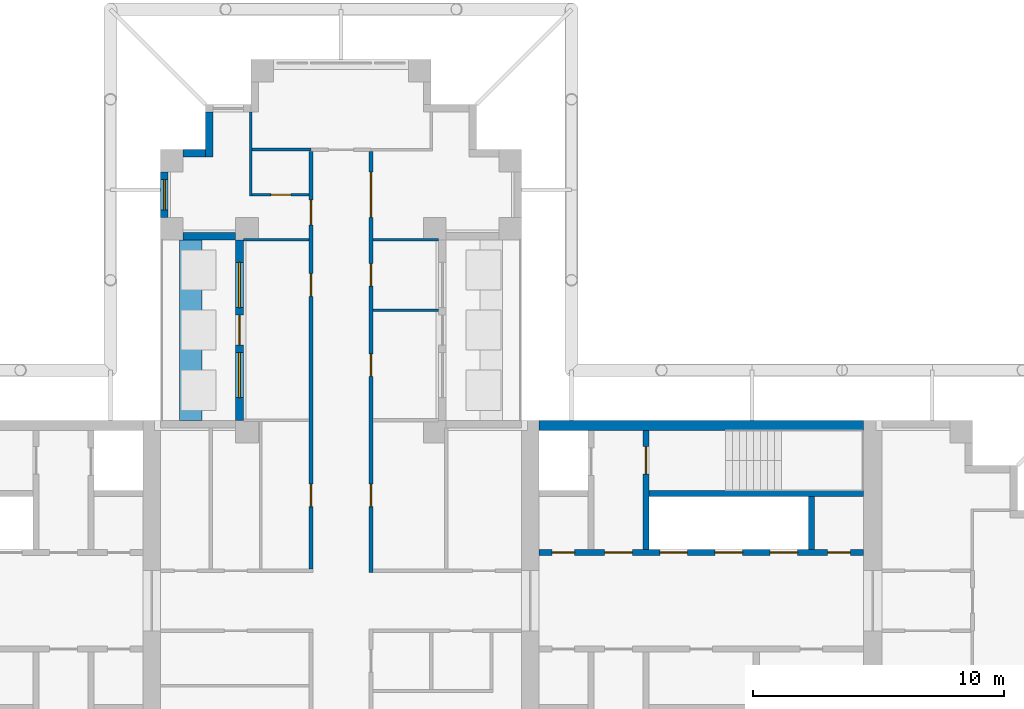
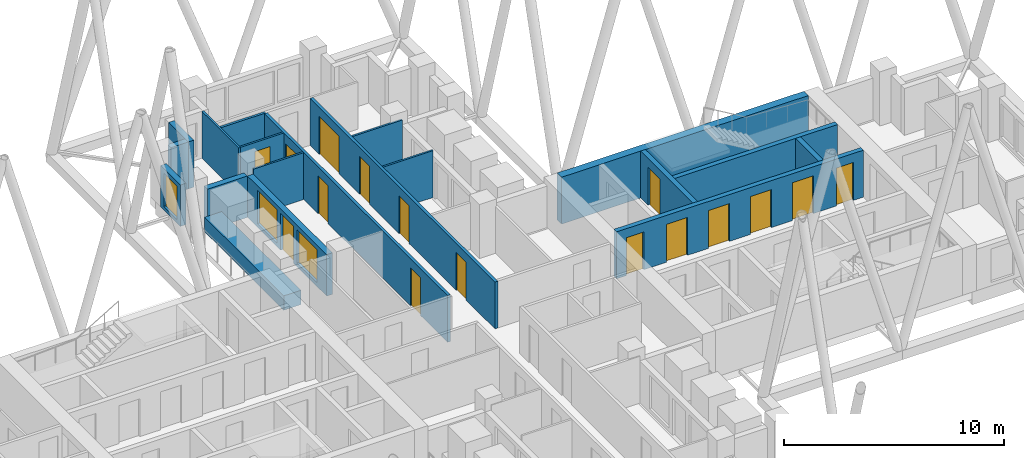
# One storey, part 7 of 11: 19 walls, 16 doors, 3 windows, 19 openings.
"""IFC4 building model written with IfcOpenShell, lengths in metres."""

from ifc_helpers import new_model, si_unit, direction, frame, frame_2d, origin, place, context, subcontext, project, spatial, rectangle, extrude, material, layer, layer_set, type_object, element, fill, save


model = new_model("IFC4")

# Units and contexts
model_context = context("Model", 3, precision=1e-05, world=origin(), true_north=direction((0.0, 1.0)))
body_context = subcontext(model_context, "Body", "Model", "MODEL_VIEW")
ifc_project = project(units=[si_unit("LENGTHUNIT", "METRE"), si_unit("AREAUNIT", "SQUARE_METRE"), si_unit("VOLUMEUNIT", "CUBIC_METRE"), si_unit("PLANEANGLEUNIT", "RADIAN"), si_unit("MASSUNIT", "GRAM", prefix="KILO")], contexts=[model_context])

# Site, building, storey
site_placement = place(None, origin())
site = spatial("IfcSite", under=ifc_project, at=site_placement, CompositionType="ELEMENT")
building_placement = place(site_placement, origin())
building = spatial("IfcBuilding", under=site, at=building_placement, Name="Fustian Cross Tower", CompositionType="ELEMENT")
storey_placement = place(building_placement, frame((0.0, 0.0, 198.89990234375)))
storey = spatial("IfcBuildingStorey", under=building, at=storey_placement, Name="L62", CompositionType="ELEMENT", Elevation=198.89990234375)

# Wall, openings, doors
ifc_material_1 = material(Name="Plasterboard on steel stud", Category="steel")
ifc_layer_1 = layer(ifc_material_1, 0.14990234375)
ifc_layer_set_1 = layer_set([ifc_layer_1], Name="Plasterboard on steel stud")
wall_type_1 = type_object("IfcWallType", Name="COMPARTMENT WALL 150 EI 60", PredefinedType="PARTITIONING", material=ifc_layer_set_1)
wall_1_placement = place(storey_placement, frame((-1.199951171875, 1.27490234375, 0.0), z_axis=(0.0, 0.0, 1.0), x_axis=(0.0, 1.0, 0.0)))
wall_1 = element("IfcWall", 1, at=wall_1_placement, inside=storey, type_object=wall_type_1, Name="Partition 28", PredefinedType="PARTITIONING", context=body_context, shape_type="SweptSolid", body=[
    extrude(rectangle(XDim=16.650146484375, YDim=0.14990234375, at=frame_2d((8.3251953125, 0.0))), origin(), (0.0, 0.0, 1.0), 2.60009765625),
])
opening_1_placement = place(wall_1_placement, frame((2.47509765625, 0.0, 0.0)))
opening_1 = element("IfcOpeningElement", 2, at=opening_1_placement, cuts=wall_1, Name="Opening D29003", PredefinedType="OPENING", context=body_context, shape_type="SweptSolid", body=[
    extrude(rectangle(XDim=0.89990234375, YDim=2.10009765625, at=frame_2d((0.449951171875, 1.050048828125))), frame((0.0, 0.0849609375, 0.0), z_axis=(0.0, -1.0, 0.0), x_axis=(1.0, 0.0, 0.0)), (0.0, 0.0, 1.0), 0.169921875),
])
opening_2_placement = place(wall_1_placement, frame((10.875, 0.0, 0.0)))
opening_2 = element("IfcOpeningElement", 3, at=opening_2_placement, cuts=wall_1, Name="Opening D29015", PredefinedType="OPENING", context=body_context, shape_type="SweptSolid", body=[
    extrude(rectangle(XDim=0.89990234375, YDim=2.10009765625, at=frame_2d((0.449951171875, 1.050048828125))), frame((0.0, 0.0849609375, 0.0), z_axis=(0.0, -1.0, 0.0), x_axis=(1.0, 0.0, 0.0)), (0.0, 0.0, 1.0), 0.169921875),
])
opening_3_placement = place(wall_1_placement, frame((13.72509765625, 0.0, 0.0)))
opening_3 = element("IfcOpeningElement", 4, at=opening_3_placement, cuts=wall_1, Name="Opening D29017", PredefinedType="OPENING", context=body_context, shape_type="SweptSolid", body=[
    extrude(rectangle(XDim=1.0, YDim=2.10009765625, at=frame_2d((0.5, 1.050048828125))), frame((0.0, 0.0849609375, 0.0), z_axis=(0.0, -1.0, 0.0), x_axis=(1.0, 0.0, 0.0)), (0.0, 0.0, 1.0), 0.169921875),
])
ifc_material_2 = material(Name="Timber fire door set", Category="wood")
door_type_1 = type_object("IfcDoorType", Name="FIRE SWING DOOR 1000 FD30S", OperationType="SINGLE_SWING_LEFT", PredefinedType="DOOR", material=ifc_material_2)
door_1_placement = place(opening_3_placement, origin())
door_1 = element("IfcDoor", 5, at=door_1_placement, inside=storey, type_object=door_type_1, Name="Door D29017", OperationType="SINGLE_SWING_RIGHT", OverallHeight=2.10009765625, OverallWidth=1.0, PredefinedType="DOOR", context=body_context, shape_type="SweptSolid", body=[
    extrude(rectangle(XDim=1.0, YDim=2.10009765625, at=frame_2d((0.5, 1.050048828125))), frame((0.0, 0.02490234375, 0.0), z_axis=(0.0, -1.0, 0.0), x_axis=(1.0, 0.0, 0.0)), (0.0, 0.0, 1.0), 0.050048828125),
])
fill(opening_3, door_1)
ifc_material_3 = material(Name="Timber fire door set", Category="wood")
door_type_2 = type_object("IfcDoorType", Name="FIRE SWING DOOR 900 FD30S", OperationType="SINGLE_SWING_LEFT", PredefinedType="DOOR", material=ifc_material_3)
door_2_placement = place(opening_1_placement, origin())
door_2 = element("IfcDoor", 6, at=door_2_placement, inside=storey, type_object=door_type_2, Name="Door D29003", OperationType="SINGLE_SWING_LEFT", OverallHeight=2.10009765625, OverallWidth=0.89990234375, PredefinedType="DOOR", context=body_context, shape_type="SweptSolid", body=[
    extrude(rectangle(XDim=0.89990234375, YDim=2.10009765625, at=frame_2d((0.449951171875, 1.050048828125))), frame((0.0, 0.02490234375, 0.0), z_axis=(0.0, -1.0, 0.0), x_axis=(1.0, 0.0, 0.0)), (0.0, 0.0, 1.0), 0.050048828125),
])
fill(opening_1, door_2)
door_3_placement = place(opening_2_placement, origin())
door_3 = element("IfcDoor", 7, at=door_3_placement, inside=storey, type_object=door_type_2, Name="Door D29015", OperationType="SINGLE_SWING_RIGHT", OverallHeight=2.10009765625, OverallWidth=0.89990234375, PredefinedType="DOOR", context=body_context, shape_type="SweptSolid", body=[
    extrude(rectangle(XDim=0.89990234375, YDim=2.10009765625, at=frame_2d((0.449951171875, 1.050048828125))), frame((0.0, 0.02490234375, 0.0), z_axis=(0.0, -1.0, 0.0), x_axis=(1.0, 0.0, 0.0)), (0.0, 0.0, 1.0), 0.050048828125),
])
fill(opening_2, door_3)

wall_2_placement = place(storey_placement, frame((1.199951171875, 1.125, 0.0), z_axis=(0.0, 0.0, 1.0), x_axis=(0.0, 1.0, 0.0)))
wall_2 = element("IfcWall", 8, at=wall_2_placement, inside=storey, type_object=wall_type_1, Name="Partition 37", PredefinedType="PARTITIONING", context=body_context, shape_type="SweptSolid", body=[
    extrude(rectangle(XDim=16.800048828125, YDim=0.14990234375, at=frame_2d((8.39990234375, 0.0))), origin(), (0.0, 0.0, 1.0), 2.60009765625),
])
opening_4_placement = place(wall_2_placement, frame((2.625, 0.0, 0.0)))
opening_4 = element("IfcOpeningElement", 9, at=opening_4_placement, cuts=wall_2, Name="Opening D29001", PredefinedType="OPENING", context=body_context, shape_type="SweptSolid", body=[
    extrude(rectangle(XDim=0.89990234375, YDim=2.10009765625, at=frame_2d((0.449951171875, 1.050048828125))), frame((0.0, 0.0849609375, 0.0), z_axis=(0.0, -1.0, 0.0), x_axis=(1.0, 0.0, 0.0)), (0.0, 0.0, 1.0), 0.169921875),
])
opening_5_placement = place(wall_2_placement, frame((11.425048828125, 0.0, 0.0)))
opening_5 = element("IfcOpeningElement", 10, at=opening_5_placement, cuts=wall_2, Name="Opening D29018", PredefinedType="OPENING", context=body_context, shape_type="SweptSolid", body=[
    extrude(rectangle(XDim=0.89990234375, YDim=2.10009765625, at=frame_2d((0.449951171875, 1.050048828125))), frame((0.0, 0.0849609375, 0.0), z_axis=(0.0, -1.0, 0.0), x_axis=(1.0, 0.0, 0.0)), (0.0, 0.0, 1.0), 0.169921875),
])
opening_6_placement = place(wall_2_placement, frame((7.824951171875, 0.0, 0.0)))
opening_6 = element("IfcOpeningElement", 11, at=opening_6_placement, cuts=wall_2, Name="Opening D29019", PredefinedType="OPENING", context=body_context, shape_type="SweptSolid", body=[
    extrude(rectangle(XDim=0.89990234375, YDim=2.10009765625, at=frame_2d((0.449951171875, 1.050048828125))), frame((0.0, 0.0849609375, 0.0), z_axis=(0.0, -1.0, 0.0), x_axis=(1.0, 0.0, 0.0)), (0.0, 0.0, 1.0), 0.169921875),
])
opening_7_placement = place(wall_2_placement, frame((14.175048828125, 0.0, 0.0)))
opening_7 = element("IfcOpeningElement", 12, at=opening_7_placement, cuts=wall_2, Name="Opening D29020", PredefinedType="OPENING", context=body_context, shape_type="SweptSolid", body=[
    extrude(rectangle(XDim=1.800048828125, YDim=2.10009765625, at=frame_2d((0.89990234375, 1.050048828125))), frame((0.0, 0.0849609375, 0.0), z_axis=(0.0, -1.0, 0.0), x_axis=(1.0, 0.0, 0.0)), (0.0, 0.0, 1.0), 0.169921875),
])
ifc_material_4 = material(Name="Timber fire door set", Category="wood")
door_type_3 = type_object("IfcDoorType", Name="FIRE DOUBLE DOOR 1800 FD30S", OperationType="DOUBLE_DOOR_DOUBLE_SWING", PredefinedType="DOOR", material=ifc_material_4)
door_4_placement = place(opening_7_placement, origin())
door_4 = element("IfcDoor", 13, at=door_4_placement, inside=storey, type_object=door_type_3, Name="Door D29020", OperationType="DOUBLE_DOOR_DOUBLE_SWING", OverallHeight=2.10009765625, OverallWidth=1.800048828125, PredefinedType="DOOR", context=body_context, shape_type="SweptSolid", body=[
    extrude(rectangle(XDim=1.800048828125, YDim=2.10009765625, at=frame_2d((0.89990234375, 1.050048828125))), frame((0.0, 0.02490234375, 0.0), z_axis=(0.0, -1.0, 0.0), x_axis=(1.0, 0.0, 0.0)), (0.0, 0.0, 1.0), 0.050048828125),
])
fill(opening_7, door_4)
door_5_placement = place(opening_4_placement, frame((0.89990234375, 0.0, 0.0), z_axis=(0.0, 0.0, 1.0), x_axis=(-1.0, 0.0, 0.0)))
door_5 = element("IfcDoor", 14, at=door_5_placement, inside=storey, type_object=door_type_2, Name="Door D29001", OperationType="SINGLE_SWING_RIGHT", OverallHeight=2.10009765625, OverallWidth=0.89990234375, PredefinedType="DOOR", context=body_context, shape_type="SweptSolid", body=[
    extrude(rectangle(XDim=0.89990234375, YDim=2.10009765625, at=frame_2d((0.449951171875, 1.050048828125))), frame((0.0, 0.02490234375, 0.0), z_axis=(0.0, -1.0, 0.0), x_axis=(1.0, 0.0, 0.0)), (0.0, 0.0, 1.0), 0.050048828125),
])
fill(opening_4, door_5)
door_6_placement = place(opening_5_placement, frame((0.89990234375, 0.0, 0.0), z_axis=(0.0, 0.0, 1.0), x_axis=(-1.0, 0.0, 0.0)))
door_6 = element("IfcDoor", 15, at=door_6_placement, inside=storey, type_object=door_type_2, Name="Door D29018", OperationType="SINGLE_SWING_RIGHT", OverallHeight=2.10009765625, OverallWidth=0.89990234375, PredefinedType="DOOR", context=body_context, shape_type="SweptSolid", body=[
    extrude(rectangle(XDim=0.89990234375, YDim=2.10009765625, at=frame_2d((0.449951171875, 1.050048828125))), frame((0.0, 0.02490234375, 0.0), z_axis=(0.0, -1.0, 0.0), x_axis=(1.0, 0.0, 0.0)), (0.0, 0.0, 1.0), 0.050048828125),
])
fill(opening_5, door_6)
door_7_placement = place(opening_6_placement, frame((0.89990234375, 0.0, 0.0), z_axis=(0.0, 0.0, 1.0), x_axis=(-1.0, 0.0, 0.0)))
door_7 = element("IfcDoor", 16, at=door_7_placement, inside=storey, type_object=door_type_2, Name="Door D29019", OperationType="SINGLE_SWING_RIGHT", OverallHeight=2.10009765625, OverallWidth=0.89990234375, PredefinedType="DOOR", context=body_context, shape_type="SweptSolid", body=[
    extrude(rectangle(XDim=0.89990234375, YDim=2.10009765625, at=frame_2d((0.449951171875, 1.050048828125))), frame((0.0, 0.02490234375, 0.0), z_axis=(0.0, -1.0, 0.0), x_axis=(1.0, 0.0, 0.0)), (0.0, 0.0, 1.0), 0.050048828125),
])
fill(opening_6, door_7)

# Wall
ifc_material_5 = material(Name="Concrete C50/60", Category="concrete")
ifc_layer_2 = layer(ifc_material_5, 0.39990234375)
ifc_layer_set_2 = layer_set([ifc_layer_2], Name="Concrete C50/60")
wall_type_2 = type_object("IfcWallType", Name="CORE FACADE WALL 400 C50/60", PredefinedType="SHEAR", material=ifc_layer_set_2)
wall_3_placement = place(storey_placement, frame((7.89990234375, 7.0, 0.0), z_axis=(0.0, 0.0, 1.0), x_axis=(1.0, 0.0, 0.0)))
element("IfcWall", 17, at=wall_3_placement, inside=storey, type_object=wall_type_2, Name="Core facade wall", PredefinedType="SHEAR", context=body_context, shape_type="SweptSolid", body=[
    extrude(rectangle(XDim=12.9501953125, YDim=0.39990234375, at=frame_2d((6.47509765625, 0.0))), origin(), (0.0, 0.0, 1.0), 2.60009765625),
])

# Wall, openings, doors
ifc_material_6 = material(Name="Concrete C50/60", Category="concrete")
ifc_layer_3 = layer(ifc_material_6, 0.25)
ifc_layer_set_3 = layer_set([ifc_layer_3], Name="Concrete C50/60")
wall_type_3 = type_object("IfcWallType", Name="CORE LOBBY WALL 250 C50/60", PredefinedType="SHEAR", material=ifc_layer_set_3)
wall_4_placement = place(storey_placement, frame((7.89990234375, 1.925048828125, 0.0), z_axis=(0.0, 0.0, 1.0), x_axis=(1.0, 0.0, 0.0)))
wall_4 = element("IfcWall", 18, at=wall_4_placement, inside=storey, type_object=wall_type_3, Name="Core lobby wall", PredefinedType="SHEAR", context=body_context, shape_type="SweptSolid", body=[
    extrude(rectangle(XDim=12.9501953125, YDim=0.25, at=frame_2d((6.47509765625, 0.0))), origin(), (0.0, 0.0, 1.0), 2.60009765625),
])
opening_8_placement = place(wall_4_placement, frame((4.824951171875, 0.0, 0.0)))
opening_8 = element("IfcOpeningElement", 19, at=opening_8_placement, cuts=wall_4, Name="Opening LD", PredefinedType="OPENING", context=body_context, shape_type="SweptSolid", body=[
    extrude(rectangle(XDim=1.10009765625, YDim=2.10009765625, at=frame_2d((0.550048828125, 1.050048828125))), frame((0.0, 0.135009765625, 0.0), z_axis=(0.0, -1.0, 0.0), x_axis=(1.0, 0.0, 0.0)), (0.0, 0.0, 1.0), 0.27001953125),
])
opening_9_placement = place(wall_4_placement, frame((7.02490234375, 0.0, 0.0)))
opening_9 = element("IfcOpeningElement", 20, at=opening_9_placement, cuts=wall_4, Name="Opening LD", PredefinedType="OPENING", context=body_context, shape_type="SweptSolid", body=[
    extrude(rectangle(XDim=1.10009765625, YDim=2.10009765625, at=frame_2d((0.550048828125, 1.050048828125))), frame((0.0, 0.135009765625, 0.0), z_axis=(0.0, -1.0, 0.0), x_axis=(1.0, 0.0, 0.0)), (0.0, 0.0, 1.0), 0.27001953125),
])
opening_10_placement = place(wall_4_placement, frame((9.22509765625, 0.0, 0.0)))
opening_10 = element("IfcOpeningElement", 21, at=opening_10_placement, cuts=wall_4, Name="Opening LD", PredefinedType="OPENING", context=body_context, shape_type="SweptSolid", body=[
    extrude(rectangle(XDim=1.10009765625, YDim=2.10009765625, at=frame_2d((0.550048828125, 1.050048828125))), frame((0.0, 0.135009765625, 0.0), z_axis=(0.0, -1.0, 0.0), x_axis=(1.0, 0.0, 0.0)), (0.0, 0.0, 1.0), 0.27001953125),
])
opening_11_placement = place(wall_4_placement, frame((0.52490234375, 0.0, 0.0)))
opening_11 = element("IfcOpeningElement", 22, at=opening_11_placement, cuts=wall_4, Name="Opening CD-27-08", PredefinedType="OPENING", context=body_context, shape_type="SweptSolid", body=[
    extrude(rectangle(XDim=0.89990234375, YDim=2.10009765625, at=frame_2d((0.449951171875, 1.050048828125))), frame((0.0, 0.135009765625, 0.0), z_axis=(0.0, -1.0, 0.0), x_axis=(1.0, 0.0, 0.0)), (0.0, 0.0, 1.0), 0.27001953125),
])
opening_12_placement = place(wall_4_placement, frame((2.625, 0.0, 0.0)))
opening_12 = element("IfcOpeningElement", 23, at=opening_12_placement, cuts=wall_4, Name="Opening CD-27-10", PredefinedType="OPENING", context=body_context, shape_type="SweptSolid", body=[
    extrude(rectangle(XDim=1.10009765625, YDim=2.10009765625, at=frame_2d((0.550048828125, 1.050048828125))), frame((0.0, 0.135009765625, 0.0), z_axis=(0.0, -1.0, 0.0), x_axis=(1.0, 0.0, 0.0)), (0.0, 0.0, 1.0), 0.27001953125),
])
opening_13_placement = place(wall_4_placement, frame((11.52490234375, 0.0, 0.0)))
opening_13 = element("IfcOpeningElement", 24, at=opening_13_placement, cuts=wall_4, Name="Opening CD-27-14", PredefinedType="OPENING", context=body_context, shape_type="SweptSolid", body=[
    extrude(rectangle(XDim=0.89990234375, YDim=2.10009765625, at=frame_2d((0.449951171875, 1.050048828125))), frame((0.0, 0.135009765625, 0.0), z_axis=(0.0, -1.0, 0.0), x_axis=(1.0, 0.0, 0.0)), (0.0, 0.0, 1.0), 0.27001953125),
])
ifc_material_7 = material(Name="Steel", Category="steel")
door_type_4 = type_object("IfcDoorType", Name="FIRE DOOR FD30S 900X2100", OperationType="SINGLE_SWING_LEFT", PredefinedType="DOOR", material=ifc_material_7)
door_8_placement = place(opening_13_placement, origin())
door_8 = element("IfcDoor", 25, at=door_8_placement, inside=storey, type_object=door_type_4, Name="Core door CD-27-14", OperationType="SINGLE_SWING_LEFT", OverallHeight=2.10009765625, OverallWidth=0.89990234375, PredefinedType="DOOR", context=body_context, shape_type="SweptSolid", body=[
    extrude(rectangle(XDim=0.89990234375, YDim=2.10009765625, at=frame_2d((0.449951171875, 1.050048828125))), frame((0.0, 0.02490234375, 0.0), z_axis=(0.0, -1.0, 0.0), x_axis=(1.0, 0.0, 0.0)), (0.0, 0.0, 1.0), 0.050048828125),
])
fill(opening_13, door_8)
ifc_material_8 = material(Name="Steel", Category="steel")
door_type_5 = type_object("IfcDoorType", Name="FIRE DOOR FD60S 1100X2100", OperationType="SINGLE_SWING_LEFT", PredefinedType="DOOR", material=ifc_material_8)
door_9_placement = place(opening_12_placement, frame((1.10009765625, 0.0, 0.0), z_axis=(0.0, 0.0, 1.0), x_axis=(-1.0, 0.0, 0.0)))
door_9 = element("IfcDoor", 26, at=door_9_placement, inside=storey, type_object=door_type_5, Name="Core door CD-27-10", OperationType="SINGLE_SWING_RIGHT", OverallHeight=2.10009765625, OverallWidth=1.10009765625, PredefinedType="DOOR", context=body_context, shape_type="SweptSolid", body=[
    extrude(rectangle(XDim=1.10009765625, YDim=2.10009765625, at=frame_2d((0.550048828125, 1.050048828125))), frame((0.0, 0.02490234375, 0.0), z_axis=(0.0, -1.0, 0.0), x_axis=(1.0, 0.0, 0.0)), (0.0, 0.0, 1.0), 0.050048828125),
])
fill(opening_12, door_9)
ifc_material_9 = material(Name="Steel", Category="steel")
door_type_6 = type_object("IfcDoorType", Name="FIRE DOOR FD60S 900X2100", OperationType="SINGLE_SWING_LEFT", PredefinedType="DOOR", material=ifc_material_9)
door_10_placement = place(opening_11_placement, origin())
door_10 = element("IfcDoor", 27, at=door_10_placement, inside=storey, type_object=door_type_6, Name="Core door CD-27-08", OperationType="SINGLE_SWING_LEFT", OverallHeight=2.10009765625, OverallWidth=0.89990234375, PredefinedType="DOOR", context=body_context, shape_type="SweptSolid", body=[
    extrude(rectangle(XDim=0.89990234375, YDim=2.10009765625, at=frame_2d((0.449951171875, 1.050048828125))), frame((0.0, 0.02490234375, 0.0), z_axis=(0.0, -1.0, 0.0), x_axis=(1.0, 0.0, 0.0)), (0.0, 0.0, 1.0), 0.050048828125),
])
fill(opening_11, door_10)
ifc_material_10 = material(Name="Stainless steel", Category="steel")
door_type_7 = type_object("IfcDoorType", Name="LIFT LANDING DOOR 1100X2100", OperationType="SLIDING_TO_LEFT", PredefinedType="DOOR", material=ifc_material_10)
door_11_placement = place(opening_8_placement, origin())
door_11 = element("IfcDoor", 28, at=door_11_placement, inside=storey, type_object=door_type_7, Name="Landing door HR1", OperationType="SLIDING_TO_LEFT", OverallHeight=2.10009765625, OverallWidth=1.10009765625, PredefinedType="DOOR", context=body_context, shape_type="SweptSolid", body=[
    extrude(rectangle(XDim=1.10009765625, YDim=2.10009765625, at=frame_2d((0.550048828125, 1.050048828125))), frame((0.0, 0.02490234375, 0.0), z_axis=(0.0, -1.0, 0.0), x_axis=(1.0, 0.0, 0.0)), (0.0, 0.0, 1.0), 0.050048828125),
])
fill(opening_8, door_11)
door_12_placement = place(opening_9_placement, origin())
door_12 = element("IfcDoor", 29, at=door_12_placement, inside=storey, type_object=door_type_7, Name="Landing door HR2", OperationType="SLIDING_TO_LEFT", OverallHeight=2.10009765625, OverallWidth=1.10009765625, PredefinedType="DOOR", context=body_context, shape_type="SweptSolid", body=[
    extrude(rectangle(XDim=1.10009765625, YDim=2.10009765625, at=frame_2d((0.550048828125, 1.050048828125))), frame((0.0, 0.02490234375, 0.0), z_axis=(0.0, -1.0, 0.0), x_axis=(1.0, 0.0, 0.0)), (0.0, 0.0, 1.0), 0.050048828125),
])
fill(opening_9, door_12)
door_13_placement = place(opening_10_placement, origin())
door_13 = element("IfcDoor", 30, at=door_13_placement, inside=storey, type_object=door_type_7, Name="Landing door HR3", OperationType="SLIDING_TO_LEFT", OverallHeight=2.10009765625, OverallWidth=1.10009765625, PredefinedType="DOOR", context=body_context, shape_type="SweptSolid", body=[
    extrude(rectangle(XDim=1.10009765625, YDim=2.10009765625, at=frame_2d((0.550048828125, 1.050048828125))), frame((0.0, 0.02490234375, 0.0), z_axis=(0.0, -1.0, 0.0), x_axis=(1.0, 0.0, 0.0)), (0.0, 0.0, 1.0), 0.050048828125),
])
fill(opening_10, door_13)

# Wall
ifc_material_11 = material(Name="Concrete C50/60", Category="concrete")
ifc_layer_4 = layer(ifc_material_11, 0.25)
ifc_layer_set_4 = layer_set([ifc_layer_4], Name="Concrete C50/60")
wall_type_4 = type_object("IfcWallType", Name="CORE SHAFT WALL 250 C50/60", PredefinedType="SHEAR", material=ifc_layer_set_4)
wall_5_placement = place(storey_placement, frame((12.300048828125, 4.27490234375, 0.0), z_axis=(0.0, 0.0, 1.0), x_axis=(1.0, 0.0, 0.0)))
element("IfcWall", 31, at=wall_5_placement, inside=storey, type_object=wall_type_4, Name="Core shaft wall", PredefinedType="SHEAR", context=body_context, shape_type="SweptSolid", body=[
    extrude(rectangle(XDim=8.550048828125, YDim=0.25, at=frame_2d((4.27490234375, 0.0))), origin(), (0.0, 0.0, 1.0), 2.60009765625),
])

# Wall, opening, door
wall_6_placement = place(storey_placement, frame((12.175048828125, 2.050048828125, 0.0), z_axis=(0.0, 0.0, 1.0), x_axis=(0.0, 1.0, 0.0)))
wall_6 = element("IfcWall", 32, at=wall_6_placement, inside=storey, type_object=wall_type_4, Name="Core shaft wall", PredefinedType="SHEAR", context=body_context, shape_type="SweptSolid", body=[
    extrude(rectangle(XDim=4.75, YDim=0.25, at=frame_2d((2.375, 0.0))), origin(), (0.0, 0.0, 1.0), 2.60009765625),
])
opening_14_placement = place(wall_6_placement, frame((3.0, 0.0, 0.0)))
opening_14 = element("IfcOpeningElement", 33, at=opening_14_placement, cuts=wall_6, Name="Opening CD-27-06", PredefinedType="OPENING", context=body_context, shape_type="SweptSolid", body=[
    extrude(rectangle(XDim=1.10009765625, YDim=2.10009765625, at=frame_2d((0.550048828125, 1.050048828125))), frame((0.0, 0.135009765625, 0.0), z_axis=(0.0, -1.0, 0.0), x_axis=(1.0, 0.0, 0.0)), (0.0, 0.0, 1.0), 0.27001953125),
])
door_14_placement = place(opening_14_placement, frame((1.10009765625, 0.0, 0.0), z_axis=(0.0, 0.0, 1.0), x_axis=(-1.0, 0.0, 0.0)))
door_14 = element("IfcDoor", 34, at=door_14_placement, inside=storey, type_object=door_type_5, Name="Core door CD-27-06", OperationType="SINGLE_SWING_RIGHT", OverallHeight=2.10009765625, OverallWidth=1.10009765625, PredefinedType="DOOR", context=body_context, shape_type="SweptSolid", body=[
    extrude(rectangle(XDim=1.10009765625, YDim=2.10009765625, at=frame_2d((0.550048828125, 1.050048828125))), frame((0.0, 0.02490234375, 0.0), z_axis=(0.0, -1.0, 0.0), x_axis=(1.0, 0.0, 0.0)), (0.0, 0.0, 1.0), 0.050048828125),
])
fill(opening_14, door_14)

# Walls
ifc_material_12 = material(Name="Plasterboard on steel stud", Category="steel")
ifc_layer_5 = layer(ifc_material_12, 0.10009765625)
ifc_layer_set_5 = layer_set([ifc_layer_5], Name="Plasterboard on steel stud")
wall_type_5 = type_object("IfcWallType", Name="PARTITION 100 STUD", PredefinedType="PARTITIONING", material=ifc_layer_set_5)
wall_7_placement = place(storey_placement, frame((-3.89990234375, 14.39990234375, 0.0), z_axis=(0.0, 0.0, 1.0), x_axis=(1.0, 0.0, 0.0)))
element("IfcWall", 35, at=wall_7_placement, inside=storey, type_object=wall_type_5, Name="Partition 18", PredefinedType="PARTITIONING", context=body_context, shape_type="SweptSolid", body=[
    extrude(rectangle(XDim=2.625, YDim=0.10009765625, at=frame_2d((1.3125, 0.0))), origin(), (0.0, 0.0, 1.0), 2.60009765625),
])
wall_8_placement = place(storey_placement, frame((-3.60009765625, 16.14990234375, 0.0), z_axis=(0.0, 0.0, 1.0), x_axis=(0.0, 1.0, 0.0)))
element("IfcWall", 36, at=wall_8_placement, inside=storey, type_object=wall_type_5, Name="Partition 22", PredefinedType="PARTITIONING", context=body_context, shape_type="SweptSolid", body=[
    extrude(rectangle(XDim=3.35009765625, YDim=0.10009765625, at=frame_2d((1.675048828125, 0.0))), origin(), (0.0, 0.0, 1.0), 2.60009765625),
])

# Wall, opening, door
wall_9_placement = place(storey_placement, frame((-3.550048828125, 16.199951171875, 0.0), z_axis=(0.0, 0.0, 1.0), x_axis=(1.0, 0.0, 0.0)))
wall_9 = element("IfcWall", 37, at=wall_9_placement, inside=storey, type_object=wall_type_5, Name="Partition 23", PredefinedType="PARTITIONING", context=body_context, shape_type="SweptSolid", body=[
    extrude(rectangle(XDim=2.275146484375, YDim=0.10009765625, at=frame_2d((1.1376953125, 0.0))), origin(), (0.0, 0.0, 1.0), 2.60009765625),
])
opening_15_placement = place(wall_9_placement, frame((0.75, 0.0, 0.0)))
opening_15 = element("IfcOpeningElement", 38, at=opening_15_placement, cuts=wall_9, Name="Opening D29016", PredefinedType="OPENING", context=body_context, shape_type="SweptSolid", body=[
    extrude(rectangle(XDim=0.800048828125, YDim=2.10009765625, at=frame_2d((0.39990234375, 1.050048828125))), frame((0.0, 0.06005859375, 0.0), z_axis=(0.0, -1.0, 0.0), x_axis=(1.0, 0.0, 0.0)), (0.0, 0.0, 1.0), 0.1201171875),
])
ifc_material_13 = material(Name="Painted timber", Category="wood")
door_type_8 = type_object("IfcDoorType", Name="SWING DOOR 800", OperationType="SINGLE_SWING_LEFT", PredefinedType="DOOR", material=ifc_material_13)
door_15_placement = place(opening_15_placement, origin())
door_15 = element("IfcDoor", 39, at=door_15_placement, inside=storey, type_object=door_type_8, Name="Door D29016", OperationType="SINGLE_SWING_LEFT", OverallHeight=2.10009765625, OverallWidth=0.800048828125, PredefinedType="DOOR", context=body_context, shape_type="SweptSolid", body=[
    extrude(rectangle(XDim=0.800048828125, YDim=2.10009765625, at=frame_2d((0.39990234375, 1.050048828125))), frame((0.0, 0.02490234375, 0.0), z_axis=(0.0, -1.0, 0.0), x_axis=(1.0, 0.0, 0.0)), (0.0, 0.0, 1.0), 0.050048828125),
])
fill(opening_15, door_15)

# Walls
for number, where, z_axis, x_axis, name in (
    (40, (1.27490234375, 11.60009765625, 0.0), (0.0, 0.0, 1.0), (1.0, 0.0, 0.0), "Partition 40"),
    (41, (1.27490234375, 14.39990234375, 0.0), (0.0, 0.0, 1.0), (1.0, 0.0, 0.0), "Partition 41"),
):
    element("IfcWall", number, at=place(storey_placement, frame(where, z_axis=z_axis, x_axis=x_axis)), inside=storey, type_object=wall_type_5, Name=name, PredefinedType="PARTITIONING", context=body_context, shape_type="SweptSolid", body=[
        extrude(rectangle(XDim=2.625, YDim=0.10009765625, at=frame_2d((1.3125, 0.0))), origin(), (0.0, 0.0, 1.0), 2.60009765625),
    ])
ifc_material_14 = material(Name="Concrete C40/50", Category="concrete")
ifc_layer_6 = layer(ifc_material_14, 0.89990234375)
ifc_layer_set_6 = layer_set([ifc_layer_6], Name="Concrete C40/50")
wall_type_6 = type_object("IfcWallType", Name="PK1 PLANTER 900", PredefinedType="PARAPET", material=ifc_layer_set_6)
wall_10_placement = place(storey_placement, frame((-6.0, 7.199951171875, 0.0), z_axis=(0.0, 0.0, 1.0), x_axis=(0.0, 1.0, 0.0)))
element("IfcWall", 42, at=wall_10_placement, inside=storey, type_object=wall_type_6, Name="PLANTER", PredefinedType="PARAPET", context=body_context, shape_type="SweptSolid", body=[
    extrude(rectangle(XDim=7.199951171875, YDim=0.89990234375, at=frame_2d((3.60009765625, 0.0))), origin(), (0.0, 0.0, 1.0), 0.800048828125),
])
ifc_material_15 = material(Name="Concrete C40/50", Category="concrete")
ifc_layer_7 = layer(ifc_material_15, 0.25)
ifc_layer_set_7 = layer_set([ifc_layer_7], Name="Concrete C40/50")
wall_type_7 = type_object("IfcWallType", Name="SHAFT PARTITION WALL 250 C40/50", PredefinedType="PARTITIONING", material=ifc_layer_set_7)
wall_11_placement = place(storey_placement, frame((18.77490234375, 2.050048828125, 0.0), z_axis=(0.0, 0.0, 1.0), x_axis=(0.0, 1.0, 0.0)))
element("IfcWall", 43, at=wall_11_placement, inside=storey, type_object=wall_type_7, Name="Core shaft wall", PredefinedType="PARTITIONING", context=body_context, shape_type="SweptSolid", body=[
    extrude(rectangle(XDim=2.099853515625, YDim=0.25, at=frame_2d((1.0498046875, 0.0))), origin(), (0.0, 0.0, 1.0), 2.60009765625),
])
ifc_material_16 = material(Name="Plasterboard on steel stud", Category="steel")
ifc_layer_8 = layer(ifc_material_16, 0.125)
ifc_layer_set_8 = layer_set([ifc_layer_8], Name="Plasterboard on steel stud")
wall_type_8 = type_object("IfcWallType", Name="WET WALL 125 STUD", PredefinedType="PARTITIONING", material=ifc_layer_set_8)
wall_12_placement = place(storey_placement, frame((-3.550048828125, 18.0, 0.0), z_axis=(0.0, 0.0, 1.0), x_axis=(1.0, 0.0, 0.0)))
element("IfcWall", 44, at=wall_12_placement, inside=storey, type_object=wall_type_8, Name="Partition 24", PredefinedType="PARTITIONING", context=body_context, shape_type="SweptSolid", body=[
    extrude(rectangle(XDim=2.35009765625, YDim=0.125, at=frame_2d((1.175048828125, 0.0))), origin(), (0.0, 0.0, 1.0), 2.60009765625),
])
ifc_material_17 = material(Name="Dark aluminium cladding on insulated backing wall", Category="aluminium")
ifc_layer_9 = layer(ifc_material_17, 0.300048828125)
ifc_layer_set_9 = layer_set([ifc_layer_9], Name="Dark aluminium cladding on insulated backing wall")
wall_type_9 = type_object("IfcWallType", Name="XW1 EXTERNAL WALL 300", PredefinedType="SOLIDWALL", material=ifc_layer_set_9)
wall_13_placement = place(storey_placement, frame((-5.25, 19.5, 0.0), z_axis=(0.0, 0.0, 1.0), x_axis=(0.0, -1.0, 0.0)))
element("IfcWall", 45, at=wall_13_placement, inside=storey, type_object=wall_type_9, Name="External wall", PredefinedType="SOLIDWALL", context=body_context, shape_type="SweptSolid", body=[
    extrude(rectangle(XDim=1.800048828125, YDim=0.300048828125, at=frame_2d((0.89990234375, 0.0))), origin(), (0.0, 0.0, 1.0), 2.60009765625),
])
wall_14_placement = place(storey_placement, frame((-5.39990234375, 17.85009765625, 0.0), z_axis=(0.0, 0.0, 1.0), x_axis=(-1.0, 0.0, 0.0)))
element("IfcWall", 46, at=wall_14_placement, inside=storey, type_object=wall_type_9, Name="External wall", PredefinedType="SOLIDWALL", context=body_context, shape_type="SweptSolid", body=[
    extrude(rectangle(XDim=0.900146484375, YDim=0.300048828125, at=frame_2d((0.4501953125, 0.0))), origin(), (0.0, 0.0, 1.0), 2.60009765625),
])

# Wall, opening, window
wall_15_placement = place(storey_placement, frame((-7.050048828125, 17.10009765625, 0.0), z_axis=(0.0, 0.0, 1.0), x_axis=(0.0, -1.0, 0.0)))
wall_15 = element("IfcWall", 47, at=wall_15_placement, inside=storey, type_object=wall_type_9, Name="External wall", PredefinedType="SOLIDWALL", context=body_context, shape_type="SweptSolid", body=[
    extrude(rectangle(XDim=1.800048828125, YDim=0.300048828125, at=frame_2d((0.89990234375, 0.0))), origin(), (0.0, 0.0, 1.0), 2.300048828125),
])
opening_16_placement = place(wall_15_placement, frame((0.300048828125, 0.0, 0.199951171875)))
opening_16 = element("IfcOpeningElement", 48, at=opening_16_placement, cuts=wall_15, Name="Opening WN3", PredefinedType="OPENING", context=body_context, shape_type="SweptSolid", body=[
    extrude(rectangle(XDim=1.199951171875, YDim=1.85009765625, at=frame_2d((0.60009765625, 0.925048828125))), frame((0.0, 0.159912109375, 0.0), z_axis=(0.0, -1.0, 0.0), x_axis=(1.0, 0.0, 0.0)), (0.0, 0.0, 1.0), 0.320068359375),
])
ifc_material_18 = material(Name="Dark anodised aluminium and double glazing", Category="aluminium")
window_type_1 = type_object("IfcWindowType", Name="WN3 WINDOW 1200X1850", PartitioningType="SINGLE_PANEL", PredefinedType="WINDOW", material=ifc_material_18)
window_1_placement = place(opening_16_placement, origin())
window_1 = element("IfcWindow", 49, at=window_1_placement, inside=storey, type_object=window_type_1, Name="Window", OverallHeight=1.85009765625, OverallWidth=1.199951171875, PartitioningType="SINGLE_PANEL", PredefinedType="WINDOW", context=body_context, shape_type="SweptSolid", body=[
    extrude(rectangle(XDim=1.199951171875, YDim=1.85009765625, at=frame_2d((0.60009765625, 0.925048828125))), frame((0.0, 0.030029296875, 0.0), z_axis=(0.0, -1.0, 0.0), x_axis=(1.0, 0.0, 0.0)), (0.0, 0.0, 1.0), 0.06005859375),
])
fill(opening_16, window_1)

# Wall
wall_16_placement = place(storey_placement, frame((-6.300048828125, 14.550048828125, 0.0), z_axis=(0.0, 0.0, 1.0), x_axis=(1.0, 0.0, 0.0)))
element("IfcWall", 50, at=wall_16_placement, inside=storey, type_object=wall_type_9, Name="External wall", PredefinedType="SOLIDWALL", context=body_context, shape_type="SweptSolid", body=[
    extrude(rectangle(XDim=2.10009765625, YDim=0.300048828125, at=frame_2d((1.050048828125, 0.0))), origin(), (0.0, 0.0, 1.0), 2.300048828125),
])

# Wall, openings, door, windows
wall_17_placement = place(storey_placement, frame((-4.050048828125, 14.39990234375, 0.0), z_axis=(0.0, 0.0, 1.0), x_axis=(0.0, -1.0, 0.0)))
wall_17 = element("IfcWall", 51, at=wall_17_placement, inside=storey, type_object=wall_type_9, Name="External wall", PredefinedType="SOLIDWALL", context=body_context, shape_type="SweptSolid", body=[
    extrude(rectangle(XDim=7.199951171875, YDim=0.300048828125, at=frame_2d((3.60009765625, 0.0))), origin(), (0.0, 0.0, 1.0), 2.300048828125),
])
opening_17_placement = place(wall_17_placement, frame((3.0, 0.0, 0.0)))
opening_17 = element("IfcOpeningElement", 52, at=opening_17_placement, cuts=wall_17, Name="Opening XD2", PredefinedType="OPENING", context=body_context, shape_type="SweptSolid", body=[
    extrude(rectangle(XDim=1.199951171875, YDim=2.050048828125, at=frame_2d((0.60009765625, 1.02490234375))), frame((0.0, 0.159912109375, 0.0), z_axis=(0.0, -1.0, 0.0), x_axis=(1.0, 0.0, 0.0)), (0.0, 0.0, 1.0), 0.320068359375),
])
opening_18_placement = place(wall_17_placement, frame((0.89990234375, 0.0, 0.199951171875)))
opening_18 = element("IfcOpeningElement", 53, at=opening_18_placement, cuts=wall_17, Name="Opening WN2", PredefinedType="OPENING", context=body_context, shape_type="SweptSolid", body=[
    extrude(rectangle(XDim=1.800048828125, YDim=1.85009765625, at=frame_2d((0.89990234375, 0.925048828125))), frame((0.0, 0.159912109375, 0.0), z_axis=(0.0, -1.0, 0.0), x_axis=(1.0, 0.0, 0.0)), (0.0, 0.0, 1.0), 0.320068359375),
])
opening_19_placement = place(wall_17_placement, frame((4.5, 0.0, 0.199951171875)))
opening_19 = element("IfcOpeningElement", 54, at=opening_19_placement, cuts=wall_17, Name="Opening WN2", PredefinedType="OPENING", context=body_context, shape_type="SweptSolid", body=[
    extrude(rectangle(XDim=1.800048828125, YDim=1.85009765625, at=frame_2d((0.89990234375, 0.925048828125))), frame((0.0, 0.159912109375, 0.0), z_axis=(0.0, -1.0, 0.0), x_axis=(1.0, 0.0, 0.0)), (0.0, 0.0, 1.0), 0.320068359375),
])
ifc_material_19 = material(Name="Dark anodised aluminium and double glazing", Category="aluminium")
door_type_9 = type_object("IfcDoorType", Name="ED1 BALCONY DOOR 1200X2050", OperationType="SINGLE_SWING_LEFT", PredefinedType="DOOR", material=ifc_material_19)
door_16_placement = place(opening_17_placement, origin())
door_16 = element("IfcDoor", 55, at=door_16_placement, inside=storey, type_object=door_type_9, Name="Balcony door", OperationType="SINGLE_SWING_LEFT", OverallHeight=2.050048828125, OverallWidth=1.199951171875, PredefinedType="DOOR", context=body_context, shape_type="SweptSolid", body=[
    extrude(rectangle(XDim=1.199951171875, YDim=2.050048828125, at=frame_2d((0.60009765625, 1.02490234375))), frame((0.0, 0.02490234375, 0.0), z_axis=(0.0, -1.0, 0.0), x_axis=(1.0, 0.0, 0.0)), (0.0, 0.0, 1.0), 0.050048828125),
])
fill(opening_17, door_16)
ifc_material_20 = material(Name="Dark anodised aluminium and double glazing", Category="aluminium")
window_type_2 = type_object("IfcWindowType", Name="WN2 WINDOW 1800X1850", PartitioningType="SINGLE_PANEL", PredefinedType="WINDOW", material=ifc_material_20)
window_2_placement = place(opening_18_placement, origin())
window_2 = element("IfcWindow", 56, at=window_2_placement, inside=storey, type_object=window_type_2, Name="Window", OverallHeight=1.85009765625, OverallWidth=1.800048828125, PartitioningType="SINGLE_PANEL", PredefinedType="WINDOW", context=body_context, shape_type="SweptSolid", body=[
    extrude(rectangle(XDim=1.800048828125, YDim=1.85009765625, at=frame_2d((0.89990234375, 0.925048828125))), frame((0.0, 0.030029296875, 0.0), z_axis=(0.0, -1.0, 0.0), x_axis=(1.0, 0.0, 0.0)), (0.0, 0.0, 1.0), 0.06005859375),
])
fill(opening_18, window_2)
window_3_placement = place(opening_19_placement, origin())
window_3 = element("IfcWindow", 57, at=window_3_placement, inside=storey, type_object=window_type_2, Name="Window", OverallHeight=1.85009765625, OverallWidth=1.800048828125, PartitioningType="SINGLE_PANEL", PredefinedType="WINDOW", context=body_context, shape_type="SweptSolid", body=[
    extrude(rectangle(XDim=1.800048828125, YDim=1.85009765625, at=frame_2d((0.89990234375, 0.925048828125))), frame((0.0, 0.030029296875, 0.0), z_axis=(0.0, -1.0, 0.0), x_axis=(1.0, 0.0, 0.0)), (0.0, 0.0, 1.0), 0.06005859375),
])
fill(opening_19, window_3)

save(model, "model.ifc")
